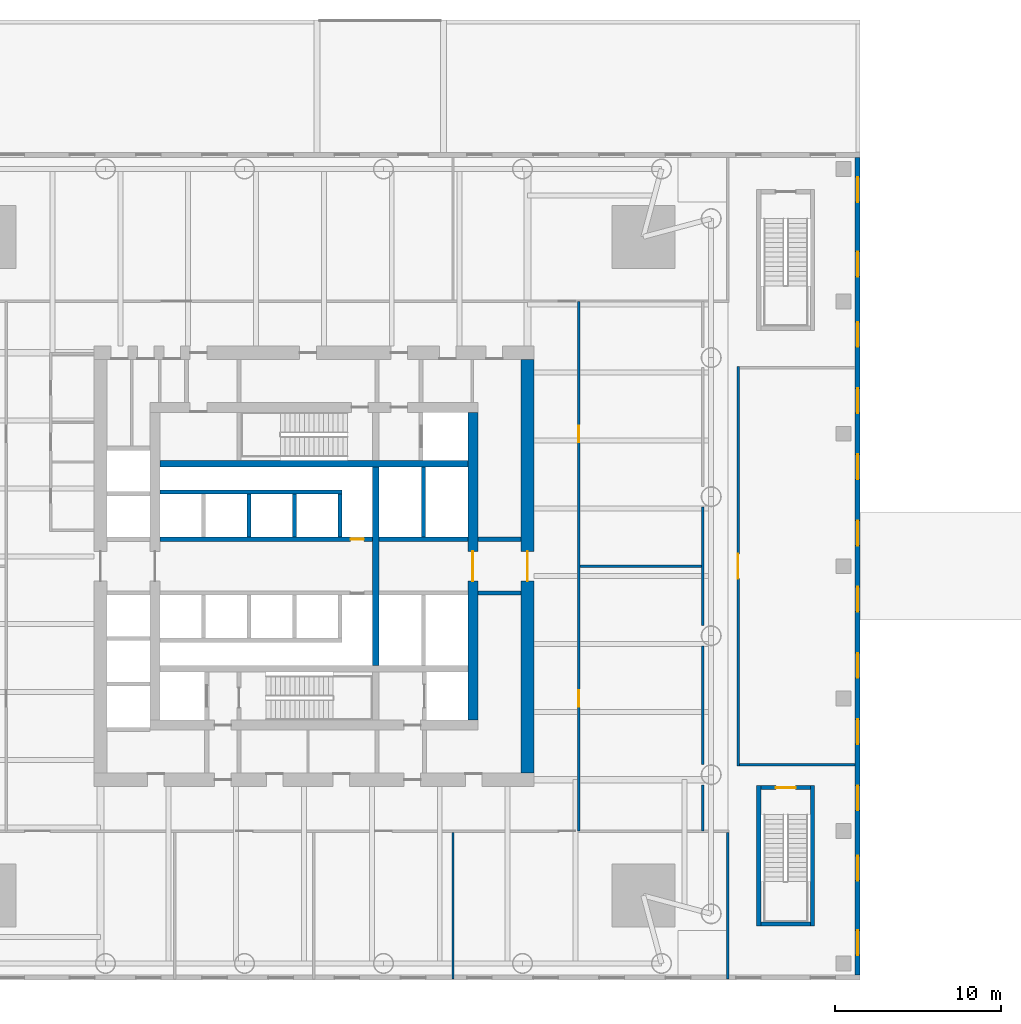
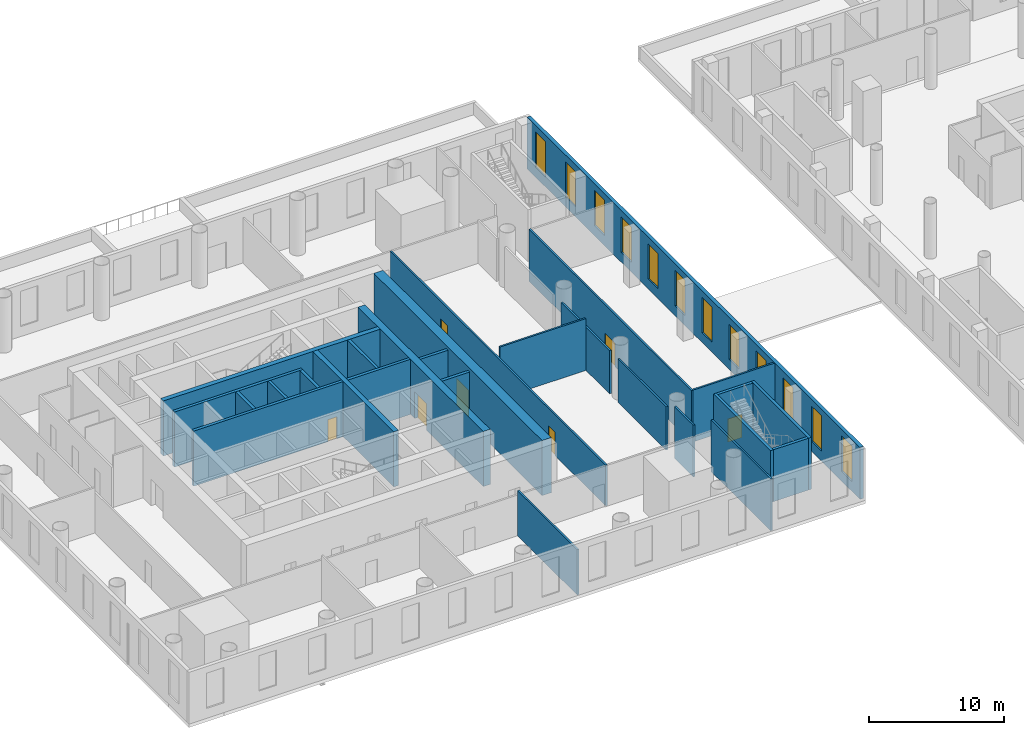
# One storey, part 7 of 16: 27 walls, 12 windows, 7 doors, 19 openings.
"""IFC4 building model written with IfcOpenShell, lengths in metres."""

from ifc_helpers import new_model, si_unit, direction, frame, frame_2d, origin, place, context, subcontext, project, spatial, rectangle, extrude, material, layer, layer_set, type_object, element, fill, save


model = new_model("IFC4")

# Units and contexts
model_context = context("Model", 3, precision=1e-05, world=origin(), true_north=direction((0.0, 1.0)))
body_context = subcontext(model_context, "Body", "Model", "MODEL_VIEW")
ifc_project = project(units=[si_unit("LENGTHUNIT", "METRE"), si_unit("AREAUNIT", "SQUARE_METRE"), si_unit("VOLUMEUNIT", "CUBIC_METRE"), si_unit("PLANEANGLEUNIT", "RADIAN"), si_unit("MASSUNIT", "GRAM", prefix="KILO")], contexts=[model_context])

# Site, building, storey
site_placement = place(None, origin())
site = spatial("IfcSite", under=ifc_project, at=site_placement, CompositionType="ELEMENT")
building_placement = place(site_placement, origin())
building = spatial("IfcBuilding", under=site, at=building_placement, Name="Ostroluk Exchange", CompositionType="ELEMENT")
storey_placement = place(building_placement, frame((0.0, 0.0, 16.0)))
storey = spatial("IfcBuildingStorey", under=building, at=storey_placement, Name="L03", CompositionType="ELEMENT", Elevation=16.0)

# Walls
ifc_material_1 = material(Name="Concrete blockwork", Category="masonry")
ifc_layer_1 = layer(ifc_material_1, 0.25)
ifc_layer_set_1 = layer_set([ifc_layer_1], Name="Blockwork stair enclosure wall 250")
wall_type_1 = type_object("IfcWallType", Name="Blockwork stair enclosure wall 250", PredefinedType="SOLIDWALL", material=ifc_layer_set_1)
for number, where, z_axis, x_axis, name in (
    (1, (54.89990234375, 44.375, 0.0), (0.0, 0.0, 1.0), (1.0, 0.0, 0.0), "Lift lobby enclosure wall"),
    (2, (54.89990234375, 47.625, 0.0), (0.0, 0.0, 1.0), (1.0, 0.0, 0.0), "Lift lobby enclosure wall"),
):
    element("IfcWall", number, at=place(storey_placement, frame(where, z_axis=z_axis, x_axis=x_axis)), inside=storey, type_object=wall_type_1, Name=name, PredefinedType="SOLIDWALL", context=body_context, shape_type="SweptSolid", body=[
        extrude(rectangle(XDim=2.60009765625, YDim=0.25, at=frame_2d((1.300048828125, 0.0))), origin(), (0.0, 0.0, 1.0), 4.699951171875),
    ])
for number, where, z_axis, x_axis, name in (
    (3, (71.875, 24.25, 0.0), (0.0, 0.0, 1.0), (0.0, 1.0, 0.0), "Stair PS3 enclosure wall"),
    (4, (75.125, 24.25, 0.0), (0.0, 0.0, 1.0), (0.0, 1.0, 0.0), "Stair PS3 enclosure wall"),
):
    element("IfcWall", number, at=place(storey_placement, frame(where, z_axis=z_axis, x_axis=x_axis)), inside=storey, type_object=wall_type_1, Name=name, PredefinedType="SOLIDWALL", context=body_context, shape_type="SweptSolid", body=[
        extrude(rectangle(XDim=8.5, YDim=0.25, at=frame_2d((4.25, 0.0))), origin(), (0.0, 0.0, 1.0), 4.699951171875),
    ])
wall_1_placement = place(storey_placement, frame((72.0, 24.375, 0.0), z_axis=(0.0, 0.0, 1.0), x_axis=(1.0, 0.0, 0.0)))
element("IfcWall", 5, at=wall_1_placement, inside=storey, type_object=wall_type_1, Name="Stair PS3 enclosure wall", PredefinedType="SOLIDWALL", context=body_context, shape_type="SweptSolid", body=[
    extrude(rectangle(XDim=3.0, YDim=0.25, at=frame_2d((1.5, 0.0))), origin(), (0.0, 0.0, 1.0), 4.699951171875),
])

# Wall, opening, door
wall_2_placement = place(storey_placement, frame((72.0, 32.625, 0.0), z_axis=(0.0, 0.0, 1.0), x_axis=(1.0, 0.0, 0.0)))
wall_2 = element("IfcWall", 6, at=wall_2_placement, inside=storey, type_object=wall_type_1, Name="Stair PS3 enclosure wall", PredefinedType="SOLIDWALL", context=body_context, shape_type="SweptSolid", body=[
    extrude(rectangle(XDim=3.0, YDim=0.25, at=frame_2d((1.5, 0.0))), origin(), (0.0, 0.0, 1.0), 4.699951171875),
])
opening_1_placement = place(wall_2_placement, frame((0.89990234375, 0.0, 0.0)))
opening_1 = element("IfcOpeningElement", 7, at=opening_1_placement, cuts=wall_2, Name="Opening FD60S", PredefinedType="OPENING", context=body_context, shape_type="SweptSolid", body=[
    extrude(rectangle(XDim=1.199951171875, YDim=2.10009765625, at=frame_2d((0.60009765625, 1.050048828125))), frame((0.0, 0.135009765625, 0.0), z_axis=(0.0, -1.0, 0.0), x_axis=(1.0, 0.0, 0.0)), (0.0, 0.0, 1.0), 0.27001953125),
])
ifc_material_2 = material(Name="Steel", Category="steel")
door_type_1 = type_object("IfcDoorType", Name="Stair door EI 60 1200 x 2100", OperationType="SINGLE_SWING_LEFT", PredefinedType="DOOR", material=ifc_material_2)
door_1_placement = place(opening_1_placement, origin())
door_1 = element("IfcDoor", 8, at=door_1_placement, inside=storey, type_object=door_type_1, Name="Stair PS3 door", OperationType="SINGLE_SWING_LEFT", OverallHeight=2.10009765625, OverallWidth=1.199951171875, PredefinedType="DOOR", context=body_context, shape_type="SweptSolid", body=[
    extrude(rectangle(XDim=1.199951171875, YDim=2.10009765625, at=frame_2d((0.60009765625, 1.050048828125))), frame((0.0, 0.02490234375, 0.0), z_axis=(0.0, -1.0, 0.0), x_axis=(1.0, 0.0, 0.0)), (0.0, 0.0, 1.0), 0.050048828125),
])
fill(opening_1, door_1)

# Walls
ifc_material_3 = material(Name="Concrete C50/60", Category="concrete")
ifc_layer_2 = layer(ifc_material_3, 0.39990234375)
ifc_layer_set_2 = layer_set([ifc_layer_2], Name="Core cross wall 400 C50/60")
wall_type_2 = type_object("IfcWallType", Name="Core cross wall 400 C50/60", PredefinedType="SHEAR", material=ifc_layer_set_2)
wall_3_placement = place(storey_placement, frame((35.699951171875, 52.199951171875, 0.0), z_axis=(0.0, 0.0, 1.0), x_axis=(1.0, 0.0, 0.0)))
element("IfcWall", 9, at=wall_3_placement, inside=storey, type_object=wall_type_2, Name="T1 core wall XN", PredefinedType="SHEAR", context=body_context, shape_type="SweptSolid", body=[
    extrude(rectangle(XDim=18.60009765625, YDim=0.39990234375, at=frame_2d((9.300048828125, 0.0))), origin(), (0.0, 0.0, 1.0), 5.0),
])
wall_4_placement = place(storey_placement, frame((48.72998046875, 40.0, 0.0), z_axis=(0.0, 0.0, 1.0), x_axis=(0.0, 1.0, 0.0)))
element("IfcWall", 10, at=wall_4_placement, inside=storey, type_object=wall_type_2, Name="T1 core wall YE2", PredefinedType="SHEAR", context=body_context, shape_type="SweptSolid", body=[
    extrude(rectangle(XDim=12.0, YDim=0.39990234375, at=frame_2d((6.0, 0.0))), origin(), (0.0, 0.0, 1.0), 5.0),
])
ifc_material_4 = material(Name="Concrete C40/50", Category="concrete")
ifc_layer_3 = layer(ifc_material_4, 0.25)
ifc_layer_set_3 = layer_set([ifc_layer_3], Name="Core shaft wall 250")
wall_type_3 = type_object("IfcWallType", Name="Core shaft wall 250", PredefinedType="SHEAR", material=ifc_layer_set_3)
for number, where, z_axis, x_axis, name in (
    (11, (41.074951171875, 47.75, 0.0), (0.0, 0.0, 1.0), (0.0, 1.0, 0.0), "Lift shaft wall"),
    (12, (43.824951171875, 47.75, 0.0), (0.0, 0.0, 1.0), (0.0, 1.0, 0.0), "Lift shaft wall"),
    (13, (46.574951171875, 47.75, 0.0), (0.0, 0.0, 1.0), (0.0, 1.0, 0.0), "Lift shaft wall"),
):
    element("IfcWall", number, at=place(storey_placement, frame(where, z_axis=z_axis, x_axis=x_axis)), inside=storey, type_object=wall_type_3, Name=name, PredefinedType="SHEAR", context=body_context, shape_type="SweptSolid", body=[
        extrude(rectangle(XDim=2.60009765625, YDim=0.25, at=frame_2d((1.300048828125, 0.0))), origin(), (0.0, 0.0, 1.0), 5.0),
    ])
wall_5_placement = place(storey_placement, frame((35.699951171875, 50.47509765625, 0.0), z_axis=(0.0, 0.0, 1.0), x_axis=(1.0, 0.0, 0.0)))
element("IfcWall", 14, at=wall_5_placement, inside=storey, type_object=wall_type_3, Name="Lift shaft wall", PredefinedType="SHEAR", context=body_context, shape_type="SweptSolid", body=[
    extrude(rectangle(XDim=11.0, YDim=0.25, at=frame_2d((5.5, 0.0))), origin(), (0.0, 0.0, 1.0), 5.0),
])

# Wall, opening, door
wall_6_placement = place(storey_placement, frame((35.699951171875, 47.625, 0.0), z_axis=(0.0, 0.0, 1.0), x_axis=(1.0, 0.0, 0.0)))
wall_6 = element("IfcWall", 15, at=wall_6_placement, inside=storey, type_object=wall_type_3, Name="Lift shaft front wall", PredefinedType="SHEAR", context=body_context, shape_type="SweptSolid", body=[
    extrude(rectangle(XDim=12.830078125, YDim=0.25, at=frame_2d((6.4150390625, 0.0))), origin(), (0.0, 0.0, 1.0), 5.0),
])
opening_2_placement = place(wall_6_placement, frame((11.514892578125, 0.0, 0.0)))
opening_2 = element("IfcOpeningElement", 16, at=opening_2_placement, cuts=wall_6, Name="Opening RD60", PredefinedType="OPENING", context=body_context, shape_type="SweptSolid", body=[
    extrude(rectangle(XDim=0.800048828125, YDim=2.0, at=frame_2d((0.39990234375, 1.0))), frame((0.0, 0.135009765625, 0.0), z_axis=(0.0, -1.0, 0.0), x_axis=(1.0, 0.0, 0.0)), (0.0, 0.0, 1.0), 0.27001953125),
])
ifc_material_5 = material(Name="Steel", Category="steel")
door_type_2 = type_object("IfcDoorType", Name="Riser access door EI 60 800 x 2000", OperationType="SINGLE_SWING_LEFT", PredefinedType="DOOR", material=ifc_material_5)
door_2_placement = place(opening_2_placement, origin())
door_2 = element("IfcDoor", 17, at=door_2_placement, inside=storey, type_object=door_type_2, Name="Riser access door", OperationType="SINGLE_SWING_RIGHT", OverallHeight=2.0, OverallWidth=0.800048828125, PredefinedType="DOOR", context=body_context, shape_type="SweptSolid", body=[
    extrude(rectangle(XDim=0.800048828125, YDim=2.0, at=frame_2d((0.39990234375, 1.0))), frame((0.0, 0.02490234375, 0.0), z_axis=(0.0, -1.0, 0.0), x_axis=(1.0, 0.0, 0.0)), (0.0, 0.0, 1.0), 0.050048828125),
])
fill(opening_2, door_2)

# Walls
wall_7_placement = place(storey_placement, frame((51.614990234375, 47.75, 0.0), z_axis=(0.0, 0.0, 1.0), x_axis=(0.0, 1.0, 0.0)))
element("IfcWall", 18, at=wall_7_placement, inside=storey, type_object=wall_type_3, Name="Lift shaft wall", PredefinedType="SHEAR", context=body_context, shape_type="SweptSolid", body=[
    extrude(rectangle(XDim=4.25, YDim=0.25, at=frame_2d((2.125, 0.0))), origin(), (0.0, 0.0, 1.0), 5.0),
])
wall_8_placement = place(storey_placement, frame((48.929931640625, 47.625, 0.0), z_axis=(0.0, 0.0, 1.0), x_axis=(1.0, 0.0, 0.0)))
element("IfcWall", 19, at=wall_8_placement, inside=storey, type_object=wall_type_3, Name="Lift shaft front wall", PredefinedType="SHEAR", context=body_context, shape_type="SweptSolid", body=[
    extrude(rectangle(XDim=5.3701171875, YDim=0.25, at=frame_2d((2.68505859375, 0.0))), origin(), (0.0, 0.0, 1.0), 5.0),
])

# Wall, opening, door
ifc_material_6 = material(Name="Concrete C50/60", Category="concrete")
ifc_layer_4 = layer(ifc_material_6, 0.60009765625)
ifc_layer_set_4 = layer_set([ifc_layer_4], Name="Core wall 600 C50/60")
wall_type_4 = type_object("IfcWallType", Name="Core wall 600 C50/60", PredefinedType="SHEAR", material=ifc_layer_set_4)
wall_9_placement = place(storey_placement, frame((54.60009765625, 36.699951171875, 0.0), z_axis=(0.0, 0.0, 1.0), x_axis=(0.0, 1.0, 0.0)))
wall_9 = element("IfcWall", 20, at=wall_9_placement, inside=storey, type_object=wall_type_4, Name="T1 core wall E", PredefinedType="SHEAR", context=body_context, shape_type="SweptSolid", body=[
    extrude(rectangle(XDim=18.60009765625, YDim=0.60009765625, at=frame_2d((9.300048828125, 0.0))), origin(), (0.0, 0.0, 1.0), 5.0),
])
opening_3_placement = place(wall_9_placement, frame((8.39990234375, 0.0, 0.0)))
opening_3 = element("IfcOpeningElement", 21, at=opening_3_placement, cuts=wall_9, Name="Opening FD30D", PredefinedType="OPENING", context=body_context, shape_type="SweptSolid", body=[
    extrude(rectangle(XDim=1.800048828125, YDim=2.39990234375, at=frame_2d((0.89990234375, 1.199951171875))), frame((0.0, 0.31005859375, 0.0), z_axis=(0.0, -1.0, 0.0), x_axis=(1.0, 0.0, 0.0)), (0.0, 0.0, 1.0), 0.6201171875),
])
ifc_material_7 = material(Name="Timber", Category="wood")
door_type_3 = type_object("IfcDoorType", Name="Lobby double door EI 30 1800 x 2400", OperationType="DOUBLE_DOOR_SINGLE_SWING", PredefinedType="DOOR", material=ifc_material_7)
door_3_placement = place(opening_3_placement, origin())
door_3 = element("IfcDoor", 22, at=door_3_placement, inside=storey, type_object=door_type_3, Name="Lift lobby doors", OperationType="DOUBLE_DOOR_SINGLE_SWING", OverallHeight=2.39990234375, OverallWidth=1.800048828125, PredefinedType="DOOR", context=body_context, shape_type="SweptSolid", body=[
    extrude(rectangle(XDim=1.800048828125, YDim=2.39990234375, at=frame_2d((0.89990234375, 1.199951171875))), frame((0.0, 0.02490234375, 0.0), z_axis=(0.0, -1.0, 0.0), x_axis=(1.0, 0.0, 0.0)), (0.0, 0.0, 1.0), 0.050048828125),
])
fill(opening_3, door_3)

ifc_material_8 = material(Name="Concrete C50/60", Category="concrete")
ifc_layer_5 = layer(ifc_material_8, 0.800048828125)
ifc_layer_set_5 = layer_set([ifc_layer_5], Name="Core wall 800 C50/60")
wall_type_5 = type_object("IfcWallType", Name="Core wall 800 C50/60", PredefinedType="SHEAR", material=ifc_layer_set_5)
wall_10_placement = place(storey_placement, frame((57.89990234375, 33.5, 0.0), z_axis=(0.0, 0.0, 1.0), x_axis=(0.0, 1.0, 0.0)))
wall_10 = element("IfcWall", 23, at=wall_10_placement, inside=storey, type_object=wall_type_5, Name="T1 core wall RE", PredefinedType="SHEAR", context=body_context, shape_type="SweptSolid", body=[
    extrude(rectangle(XDim=25.0, YDim=0.800048828125, at=frame_2d((12.5, 0.0))), origin(), (0.0, 0.0, 1.0), 5.0),
])
opening_4_placement = place(wall_10_placement, frame((11.60009765625, 0.0, 0.0)))
opening_4 = element("IfcOpeningElement", 24, at=opening_4_placement, cuts=wall_10, Name="Opening FD30D", PredefinedType="OPENING", context=body_context, shape_type="SweptSolid", body=[
    extrude(rectangle(XDim=1.800048828125, YDim=2.39990234375, at=frame_2d((0.89990234375, 1.199951171875))), frame((0.0, 0.409912109375, 0.0), z_axis=(0.0, -1.0, 0.0), x_axis=(1.0, 0.0, 0.0)), (0.0, 0.0, 1.0), 0.820068359375),
])
door_4_placement = place(opening_4_placement, origin())
door_4 = element("IfcDoor", 25, at=door_4_placement, inside=storey, type_object=door_type_3, Name="Lift lobby doors", OperationType="DOUBLE_DOOR_SINGLE_SWING", OverallHeight=2.39990234375, OverallWidth=1.800048828125, PredefinedType="DOOR", context=body_context, shape_type="SweptSolid", body=[
    extrude(rectangle(XDim=1.800048828125, YDim=2.39990234375, at=frame_2d((0.89990234375, 1.199951171875))), frame((0.0, 0.02490234375, 0.0), z_axis=(0.0, -1.0, 0.0), x_axis=(1.0, 0.0, 0.0)), (0.0, 0.0, 1.0), 0.050048828125),
])
fill(opening_4, door_4)

# Wall, openings, windows
ifc_material_9 = material(Name="Limestone", Category="masonry")
ifc_layer_6 = layer(ifc_material_9, 0.300048828125)
ifc_layer_set_6 = layer_set([ifc_layer_6], Name="Limestone facade wall 300")
wall_type_6 = type_object("IfcWallType", Name="Limestone facade wall 300", PredefinedType="SOLIDWALL", material=ifc_layer_set_6)
wall_11_placement = place(storey_placement, frame((77.85009765625, 21.300048828125, 0.0), z_axis=(0.0, 0.0, 1.0), x_axis=(0.0, 1.0, 0.0)))
wall_11 = element("IfcWall", 26, at=wall_11_placement, inside=storey, type_object=wall_type_6, Name="Podium west E wall L03 1a", PredefinedType="SOLIDWALL", context=body_context, shape_type="SweptSolid", body=[
    extrude(rectangle(XDim=49.39990234375, YDim=0.300048828125, at=frame_2d((24.699951171875, 0.0))), origin(), (0.0, 0.0, 1.0), 4.699951171875),
])
opening_5_placement = place(wall_11_placement, frame((1.199951171875, 0.0, 0.89990234375)))
opening_5 = element("IfcOpeningElement", 27, at=opening_5_placement, cuts=wall_11, Name="Opening WN-L2", PredefinedType="OPENING", context=body_context, shape_type="SweptSolid", body=[
    extrude(rectangle(XDim=1.5, YDim=3.199951171875, at=frame_2d((0.75, 1.60009765625))), frame((0.0, 0.159912109375, 0.0), z_axis=(0.0, -1.0, 0.0), x_axis=(1.0, 0.0, 0.0)), (0.0, 0.0, 1.0), 0.320068359375),
])
opening_6_placement = place(wall_11_placement, frame((5.699951171875, 0.0, 0.89990234375)))
opening_6 = element("IfcOpeningElement", 28, at=opening_6_placement, cuts=wall_11, Name="Opening WN-L2", PredefinedType="OPENING", context=body_context, shape_type="SweptSolid", body=[
    extrude(rectangle(XDim=1.5, YDim=3.199951171875, at=frame_2d((0.75, 1.60009765625))), frame((0.0, 0.159912109375, 0.0), z_axis=(0.0, -1.0, 0.0), x_axis=(1.0, 0.0, 0.0)), (0.0, 0.0, 1.0), 0.320068359375),
])
opening_7_placement = place(wall_11_placement, frame((9.949951171875, 0.0, 0.89990234375)))
opening_7 = element("IfcOpeningElement", 29, at=opening_7_placement, cuts=wall_11, Name="Opening WN-L2", PredefinedType="OPENING", context=body_context, shape_type="SweptSolid", body=[
    extrude(rectangle(XDim=1.5, YDim=3.199951171875, at=frame_2d((0.75, 1.60009765625))), frame((0.0, 0.159912109375, 0.0), z_axis=(0.0, -1.0, 0.0), x_axis=(1.0, 0.0, 0.0)), (0.0, 0.0, 1.0), 0.320068359375),
])
opening_8_placement = place(wall_11_placement, frame((13.949951171875, 0.0, 0.89990234375)))
opening_8 = element("IfcOpeningElement", 30, at=opening_8_placement, cuts=wall_11, Name="Opening WN-L2", PredefinedType="OPENING", context=body_context, shape_type="SweptSolid", body=[
    extrude(rectangle(XDim=1.5, YDim=3.199951171875, at=frame_2d((0.75, 1.60009765625))), frame((0.0, 0.159912109375, 0.0), z_axis=(0.0, -1.0, 0.0), x_axis=(1.0, 0.0, 0.0)), (0.0, 0.0, 1.0), 0.320068359375),
])
opening_9_placement = place(wall_11_placement, frame((17.949951171875, 0.0, 0.89990234375)))
opening_9 = element("IfcOpeningElement", 31, at=opening_9_placement, cuts=wall_11, Name="Opening WN-L2", PredefinedType="OPENING", context=body_context, shape_type="SweptSolid", body=[
    extrude(rectangle(XDim=1.5, YDim=3.199951171875, at=frame_2d((0.75, 1.60009765625))), frame((0.0, 0.159912109375, 0.0), z_axis=(0.0, -1.0, 0.0), x_axis=(1.0, 0.0, 0.0)), (0.0, 0.0, 1.0), 0.320068359375),
])
opening_10_placement = place(wall_11_placement, frame((21.949951171875, 0.0, 0.89990234375)))
opening_10 = element("IfcOpeningElement", 32, at=opening_10_placement, cuts=wall_11, Name="Opening WN-L2", PredefinedType="OPENING", context=body_context, shape_type="SweptSolid", body=[
    extrude(rectangle(XDim=1.5, YDim=3.199951171875, at=frame_2d((0.75, 1.60009765625))), frame((0.0, 0.159912109375, 0.0), z_axis=(0.0, -1.0, 0.0), x_axis=(1.0, 0.0, 0.0)), (0.0, 0.0, 1.0), 0.320068359375),
])
opening_11_placement = place(wall_11_placement, frame((25.949951171875, 0.0, 0.89990234375)))
opening_11 = element("IfcOpeningElement", 33, at=opening_11_placement, cuts=wall_11, Name="Opening WN-L2", PredefinedType="OPENING", context=body_context, shape_type="SweptSolid", body=[
    extrude(rectangle(XDim=1.5, YDim=3.199951171875, at=frame_2d((0.75, 1.60009765625))), frame((0.0, 0.159912109375, 0.0), z_axis=(0.0, -1.0, 0.0), x_axis=(1.0, 0.0, 0.0)), (0.0, 0.0, 1.0), 0.320068359375),
])
opening_12_placement = place(wall_11_placement, frame((29.949951171875, 0.0, 0.89990234375)))
opening_12 = element("IfcOpeningElement", 34, at=opening_12_placement, cuts=wall_11, Name="Opening WN-L2", PredefinedType="OPENING", context=body_context, shape_type="SweptSolid", body=[
    extrude(rectangle(XDim=1.5, YDim=3.199951171875, at=frame_2d((0.75, 1.60009765625))), frame((0.0, 0.159912109375, 0.0), z_axis=(0.0, -1.0, 0.0), x_axis=(1.0, 0.0, 0.0)), (0.0, 0.0, 1.0), 0.320068359375),
])
opening_13_placement = place(wall_11_placement, frame((33.949951171875, 0.0, 0.89990234375)))
opening_13 = element("IfcOpeningElement", 35, at=opening_13_placement, cuts=wall_11, Name="Opening WN-L2", PredefinedType="OPENING", context=body_context, shape_type="SweptSolid", body=[
    extrude(rectangle(XDim=1.5, YDim=3.199951171875, at=frame_2d((0.75, 1.60009765625))), frame((0.0, 0.159912109375, 0.0), z_axis=(0.0, -1.0, 0.0), x_axis=(1.0, 0.0, 0.0)), (0.0, 0.0, 1.0), 0.320068359375),
])
opening_14_placement = place(wall_11_placement, frame((37.949951171875, 0.0, 0.89990234375)))
opening_14 = element("IfcOpeningElement", 36, at=opening_14_placement, cuts=wall_11, Name="Opening WN-L2", PredefinedType="OPENING", context=body_context, shape_type="SweptSolid", body=[
    extrude(rectangle(XDim=1.5, YDim=3.199951171875, at=frame_2d((0.75, 1.60009765625))), frame((0.0, 0.159912109375, 0.0), z_axis=(0.0, -1.0, 0.0), x_axis=(1.0, 0.0, 0.0)), (0.0, 0.0, 1.0), 0.320068359375),
])
opening_15_placement = place(wall_11_placement, frame((42.199951171875, 0.0, 0.89990234375)))
opening_15 = element("IfcOpeningElement", 37, at=opening_15_placement, cuts=wall_11, Name="Opening WN-L2", PredefinedType="OPENING", context=body_context, shape_type="SweptSolid", body=[
    extrude(rectangle(XDim=1.5, YDim=3.199951171875, at=frame_2d((0.75, 1.60009765625))), frame((0.0, 0.159912109375, 0.0), z_axis=(0.0, -1.0, 0.0), x_axis=(1.0, 0.0, 0.0)), (0.0, 0.0, 1.0), 0.320068359375),
])
opening_16_placement = place(wall_11_placement, frame((46.699951171875, 0.0, 0.89990234375)))
opening_16 = element("IfcOpeningElement", 38, at=opening_16_placement, cuts=wall_11, Name="Opening WN-L2", PredefinedType="OPENING", context=body_context, shape_type="SweptSolid", body=[
    extrude(rectangle(XDim=1.5, YDim=3.199951171875, at=frame_2d((0.75, 1.60009765625))), frame((0.0, 0.159912109375, 0.0), z_axis=(0.0, -1.0, 0.0), x_axis=(1.0, 0.0, 0.0)), (0.0, 0.0, 1.0), 0.320068359375),
])
ifc_material_10 = material(Name="Laminated clear glass", Category="glass")
window_type = type_object("IfcWindowType", Name="Podium lancet window 1500 x 3200", PartitioningType="DOUBLE_PANEL_VERTICAL", PredefinedType="WINDOW", material=ifc_material_10)
window_1_placement = place(opening_5_placement, origin())
window_1 = element("IfcWindow", 39, at=window_1_placement, inside=storey, type_object=window_type, Name="Podium west lancet window E L03 1.1", OverallHeight=3.199951171875, OverallWidth=1.5, PartitioningType="SINGLE_PANEL", PredefinedType="WINDOW", context=body_context, shape_type="SweptSolid", body=[
    extrude(rectangle(XDim=1.5, YDim=3.199951171875, at=frame_2d((0.75, 1.60009765625))), frame((0.0, 0.030029296875, 0.0), z_axis=(0.0, -1.0, 0.0), x_axis=(1.0, 0.0, 0.0)), (0.0, 0.0, 1.0), 0.06005859375),
])
fill(opening_5, window_1)
window_2_placement = place(opening_6_placement, origin())
window_2 = element("IfcWindow", 40, at=window_2_placement, inside=storey, type_object=window_type, Name="Podium west lancet window E L03 1.2", OverallHeight=3.199951171875, OverallWidth=1.5, PartitioningType="SINGLE_PANEL", PredefinedType="WINDOW", context=body_context, shape_type="SweptSolid", body=[
    extrude(rectangle(XDim=1.5, YDim=3.199951171875, at=frame_2d((0.75, 1.60009765625))), frame((0.0, 0.030029296875, 0.0), z_axis=(0.0, -1.0, 0.0), x_axis=(1.0, 0.0, 0.0)), (0.0, 0.0, 1.0), 0.06005859375),
])
fill(opening_6, window_2)
window_3_placement = place(opening_7_placement, origin())
window_3 = element("IfcWindow", 41, at=window_3_placement, inside=storey, type_object=window_type, Name="Podium west lancet window E L03 2.1", OverallHeight=3.199951171875, OverallWidth=1.5, PartitioningType="SINGLE_PANEL", PredefinedType="WINDOW", context=body_context, shape_type="SweptSolid", body=[
    extrude(rectangle(XDim=1.5, YDim=3.199951171875, at=frame_2d((0.75, 1.60009765625))), frame((0.0, 0.030029296875, 0.0), z_axis=(0.0, -1.0, 0.0), x_axis=(1.0, 0.0, 0.0)), (0.0, 0.0, 1.0), 0.06005859375),
])
fill(opening_7, window_3)
window_4_placement = place(opening_8_placement, origin())
window_4 = element("IfcWindow", 42, at=window_4_placement, inside=storey, type_object=window_type, Name="Podium west lancet window E L03 2.2", OverallHeight=3.199951171875, OverallWidth=1.5, PartitioningType="SINGLE_PANEL", PredefinedType="WINDOW", context=body_context, shape_type="SweptSolid", body=[
    extrude(rectangle(XDim=1.5, YDim=3.199951171875, at=frame_2d((0.75, 1.60009765625))), frame((0.0, 0.030029296875, 0.0), z_axis=(0.0, -1.0, 0.0), x_axis=(1.0, 0.0, 0.0)), (0.0, 0.0, 1.0), 0.06005859375),
])
fill(opening_8, window_4)
window_5_placement = place(opening_9_placement, origin())
window_5 = element("IfcWindow", 43, at=window_5_placement, inside=storey, type_object=window_type, Name="Podium west lancet window E L03 3.1", OverallHeight=3.199951171875, OverallWidth=1.5, PartitioningType="SINGLE_PANEL", PredefinedType="WINDOW", context=body_context, shape_type="SweptSolid", body=[
    extrude(rectangle(XDim=1.5, YDim=3.199951171875, at=frame_2d((0.75, 1.60009765625))), frame((0.0, 0.030029296875, 0.0), z_axis=(0.0, -1.0, 0.0), x_axis=(1.0, 0.0, 0.0)), (0.0, 0.0, 1.0), 0.06005859375),
])
fill(opening_9, window_5)
window_6_placement = place(opening_10_placement, origin())
window_6 = element("IfcWindow", 44, at=window_6_placement, inside=storey, type_object=window_type, Name="Podium west lancet window E L03 3.2", OverallHeight=3.199951171875, OverallWidth=1.5, PartitioningType="SINGLE_PANEL", PredefinedType="WINDOW", context=body_context, shape_type="SweptSolid", body=[
    extrude(rectangle(XDim=1.5, YDim=3.199951171875, at=frame_2d((0.75, 1.60009765625))), frame((0.0, 0.030029296875, 0.0), z_axis=(0.0, -1.0, 0.0), x_axis=(1.0, 0.0, 0.0)), (0.0, 0.0, 1.0), 0.06005859375),
])
fill(opening_10, window_6)
window_7_placement = place(opening_11_placement, origin())
window_7 = element("IfcWindow", 45, at=window_7_placement, inside=storey, type_object=window_type, Name="Podium west lancet window E L03 4.1", OverallHeight=3.199951171875, OverallWidth=1.5, PartitioningType="SINGLE_PANEL", PredefinedType="WINDOW", context=body_context, shape_type="SweptSolid", body=[
    extrude(rectangle(XDim=1.5, YDim=3.199951171875, at=frame_2d((0.75, 1.60009765625))), frame((0.0, 0.030029296875, 0.0), z_axis=(0.0, -1.0, 0.0), x_axis=(1.0, 0.0, 0.0)), (0.0, 0.0, 1.0), 0.06005859375),
])
fill(opening_11, window_7)
window_8_placement = place(opening_12_placement, origin())
window_8 = element("IfcWindow", 46, at=window_8_placement, inside=storey, type_object=window_type, Name="Podium west lancet window E L03 4.2", OverallHeight=3.199951171875, OverallWidth=1.5, PartitioningType="SINGLE_PANEL", PredefinedType="WINDOW", context=body_context, shape_type="SweptSolid", body=[
    extrude(rectangle(XDim=1.5, YDim=3.199951171875, at=frame_2d((0.75, 1.60009765625))), frame((0.0, 0.030029296875, 0.0), z_axis=(0.0, -1.0, 0.0), x_axis=(1.0, 0.0, 0.0)), (0.0, 0.0, 1.0), 0.06005859375),
])
fill(opening_12, window_8)
window_9_placement = place(opening_13_placement, origin())
window_9 = element("IfcWindow", 47, at=window_9_placement, inside=storey, type_object=window_type, Name="Podium west lancet window E L03 5.1", OverallHeight=3.199951171875, OverallWidth=1.5, PartitioningType="SINGLE_PANEL", PredefinedType="WINDOW", context=body_context, shape_type="SweptSolid", body=[
    extrude(rectangle(XDim=1.5, YDim=3.199951171875, at=frame_2d((0.75, 1.60009765625))), frame((0.0, 0.030029296875, 0.0), z_axis=(0.0, -1.0, 0.0), x_axis=(1.0, 0.0, 0.0)), (0.0, 0.0, 1.0), 0.06005859375),
])
fill(opening_13, window_9)
window_10_placement = place(opening_14_placement, origin())
window_10 = element("IfcWindow", 48, at=window_10_placement, inside=storey, type_object=window_type, Name="Podium west lancet window E L03 5.2", OverallHeight=3.199951171875, OverallWidth=1.5, PartitioningType="SINGLE_PANEL", PredefinedType="WINDOW", context=body_context, shape_type="SweptSolid", body=[
    extrude(rectangle(XDim=1.5, YDim=3.199951171875, at=frame_2d((0.75, 1.60009765625))), frame((0.0, 0.030029296875, 0.0), z_axis=(0.0, -1.0, 0.0), x_axis=(1.0, 0.0, 0.0)), (0.0, 0.0, 1.0), 0.06005859375),
])
fill(opening_14, window_10)
window_11_placement = place(opening_15_placement, origin())
window_11 = element("IfcWindow", 49, at=window_11_placement, inside=storey, type_object=window_type, Name="Podium west lancet window E L03 6.1", OverallHeight=3.199951171875, OverallWidth=1.5, PartitioningType="SINGLE_PANEL", PredefinedType="WINDOW", context=body_context, shape_type="SweptSolid", body=[
    extrude(rectangle(XDim=1.5, YDim=3.199951171875, at=frame_2d((0.75, 1.60009765625))), frame((0.0, 0.030029296875, 0.0), z_axis=(0.0, -1.0, 0.0), x_axis=(1.0, 0.0, 0.0)), (0.0, 0.0, 1.0), 0.06005859375),
])
fill(opening_15, window_11)
window_12_placement = place(opening_16_placement, origin())
window_12 = element("IfcWindow", 50, at=window_12_placement, inside=storey, type_object=window_type, Name="Podium west lancet window E L03 6.2", OverallHeight=3.199951171875, OverallWidth=1.5, PartitioningType="SINGLE_PANEL", PredefinedType="WINDOW", context=body_context, shape_type="SweptSolid", body=[
    extrude(rectangle(XDim=1.5, YDim=3.199951171875, at=frame_2d((0.75, 1.60009765625))), frame((0.0, 0.030029296875, 0.0), z_axis=(0.0, -1.0, 0.0), x_axis=(1.0, 0.0, 0.0)), (0.0, 0.0, 1.0), 0.06005859375),
])
fill(opening_16, window_12)

# Wall, opening, door
ifc_material_11 = material(Name="Gypsum plasterboard partition", Category="gypsum")
ifc_layer_7 = layer(ifc_material_11, 0.14990234375)
ifc_layer_set_7 = layer_set([ifc_layer_7], Name="Plasterboard partition 150")
wall_type_7 = type_object("IfcWallType", Name="Plasterboard partition 150", PredefinedType="PARTITIONING", material=ifc_layer_set_7)
wall_12_placement = place(storey_placement, frame((70.6201171875, 33.925048828125, 0.0), z_axis=(0.0, 0.0, 1.0), x_axis=(0.0, 1.0, 0.0)))
wall_12 = element("IfcWall", 51, at=wall_12_placement, inside=storey, type_object=wall_type_7, Name="Partition", PredefinedType="PARTITIONING", context=body_context, shape_type="SweptSolid", body=[
    extrude(rectangle(XDim=24.14990234375, YDim=0.14990234375, at=frame_2d((12.074951171875, 0.0))), origin(), (0.0, 0.0, 1.0), 4.699951171875),
])
opening_17_placement = place(wall_12_placement, frame((11.324951171875, 0.0, 0.0)))
opening_17 = element("IfcOpeningElement", 52, at=opening_17_placement, cuts=wall_12, Name="Opening D-07", PredefinedType="OPENING", context=body_context, shape_type="SweptSolid", body=[
    extrude(rectangle(XDim=1.5, YDim=2.10009765625, at=frame_2d((0.75, 1.050048828125))), frame((0.0, 0.0849609375, 0.0), z_axis=(0.0, -1.0, 0.0), x_axis=(1.0, 0.0, 0.0)), (0.0, 0.0, 1.0), 0.169921875),
])
ifc_material_12 = material(Name="Steel", Category="steel")
door_type_4 = type_object("IfcDoorType", Name="Kitchen double door 1500 x 2100", OperationType="DOUBLE_DOOR_DOUBLE_SWING", PredefinedType="DOOR", material=ifc_material_12)
door_5_placement = place(opening_17_placement, origin())
door_5 = element("IfcDoor", 53, at=door_5_placement, inside=storey, type_object=door_type_4, Name="Main kitchen door", OperationType="DOUBLE_DOOR_DOUBLE_SWING", OverallHeight=2.10009765625, OverallWidth=1.5, PredefinedType="DOOR", context=body_context, shape_type="SweptSolid", body=[
    extrude(rectangle(XDim=1.5, YDim=2.10009765625, at=frame_2d((0.75, 1.050048828125))), frame((0.0, 0.02490234375, 0.0), z_axis=(0.0, -1.0, 0.0), x_axis=(1.0, 0.0, 0.0)), (0.0, 0.0, 1.0), 0.050048828125),
])
fill(opening_17, door_5)

# Walls
wall_13_placement = place(storey_placement, frame((70.695068359375, 34.0, 0.0), z_axis=(0.0, 0.0, 1.0), x_axis=(1.0, 0.0, 0.0)))
element("IfcWall", 54, at=wall_13_placement, inside=storey, type_object=wall_type_7, Name="Partition", PredefinedType="PARTITIONING", context=body_context, shape_type="SweptSolid", body=[
    extrude(rectangle(XDim=7.0048828125, YDim=0.14990234375, at=frame_2d((3.50244140625, 0.0))), origin(), (0.0, 0.0, 1.0), 4.699951171875),
])
wall_14_placement = place(storey_placement, frame((70.0, 21.074951171875, 0.0), z_axis=(0.0, 0.0, 1.0), x_axis=(0.0, 1.0, 0.0)))
element("IfcWall", 55, at=wall_14_placement, inside=storey, type_object=wall_type_7, Name="Partition", PredefinedType="PARTITIONING", context=body_context, shape_type="SweptSolid", body=[
    extrude(rectangle(XDim=8.85009765625, YDim=0.14990234375, at=frame_2d((4.425048828125, 0.0))), origin(), (0.0, 0.0, 1.0), 4.699951171875),
])
wall_15_placement = place(storey_placement, frame((53.39990234375, 21.074951171875, 0.0), z_axis=(0.0, 0.0, 1.0), x_axis=(0.0, 1.0, 0.0)))
element("IfcWall", 56, at=wall_15_placement, inside=storey, type_object=wall_type_7, Name="Partition", PredefinedType="PARTITIONING", context=body_context, shape_type="SweptSolid", body=[
    extrude(rectangle(XDim=8.85009765625, YDim=0.14990234375, at=frame_2d((4.425048828125, 0.0))), origin(), (0.0, 0.0, 1.0), 4.10009765625),
])

# Wall, openings, doors
wall_16_placement = place(storey_placement, frame((61.0, 30.0, 0.0), z_axis=(0.0, 0.0, 1.0), x_axis=(0.0, 1.0, 0.0)))
wall_16 = element("IfcWall", 57, at=wall_16_placement, inside=storey, type_object=wall_type_7, Name="Partition", PredefinedType="PARTITIONING", context=body_context, shape_type="SweptSolid", body=[
    extrude(rectangle(XDim=32.0, YDim=0.14990234375, at=frame_2d((16.0, 0.0))), origin(), (0.0, 0.0, 1.0), 3.68798828125),
])
opening_18_placement = place(wall_16_placement, frame((7.5, 0.0, 0.0)))
opening_18 = element("IfcOpeningElement", 58, at=opening_18_placement, cuts=wall_16, Name="Opening D-03", PredefinedType="OPENING", context=body_context, shape_type="SweptSolid", body=[
    extrude(rectangle(XDim=1.0, YDim=2.10009765625, at=frame_2d((0.5, 1.050048828125))), frame((0.0, 0.0849609375, 0.0), z_axis=(0.0, -1.0, 0.0), x_axis=(1.0, 0.0, 0.0)), (0.0, 0.0, 1.0), 0.169921875),
])
opening_19_placement = place(wall_16_placement, frame((23.5, 0.0, 0.0)))
opening_19 = element("IfcOpeningElement", 59, at=opening_19_placement, cuts=wall_16, Name="Opening D-03", PredefinedType="OPENING", context=body_context, shape_type="SweptSolid", body=[
    extrude(rectangle(XDim=1.0, YDim=2.10009765625, at=frame_2d((0.5, 1.050048828125))), frame((0.0, 0.0849609375, 0.0), z_axis=(0.0, -1.0, 0.0), x_axis=(1.0, 0.0, 0.0)), (0.0, 0.0, 1.0), 0.169921875),
])
ifc_material_13 = material(Name="Timber", Category="wood")
door_type_5 = type_object("IfcDoorType", Name="Internal door 1000 x 2100", OperationType="SINGLE_SWING_LEFT", PredefinedType="DOOR", material=ifc_material_13)
door_6_placement = place(opening_18_placement, origin())
door_6 = element("IfcDoor", 60, at=door_6_placement, inside=storey, type_object=door_type_5, Name="Office door", OperationType="SINGLE_SWING_LEFT", OverallHeight=2.10009765625, OverallWidth=1.0, PredefinedType="DOOR", context=body_context, shape_type="SweptSolid", body=[
    extrude(rectangle(XDim=1.0, YDim=2.10009765625, at=frame_2d((0.5, 1.050048828125))), frame((0.0, 0.02490234375, 0.0), z_axis=(0.0, -1.0, 0.0), x_axis=(1.0, 0.0, 0.0)), (0.0, 0.0, 1.0), 0.050048828125),
])
fill(opening_18, door_6)
door_7_placement = place(opening_19_placement, origin())
door_7 = element("IfcDoor", 61, at=door_7_placement, inside=storey, type_object=door_type_5, Name="Office door", OperationType="SINGLE_SWING_RIGHT", OverallHeight=2.10009765625, OverallWidth=1.0, PredefinedType="DOOR", context=body_context, shape_type="SweptSolid", body=[
    extrude(rectangle(XDim=1.0, YDim=2.10009765625, at=frame_2d((0.5, 1.050048828125))), frame((0.0, 0.02490234375, 0.0), z_axis=(0.0, -1.0, 0.0), x_axis=(1.0, 0.0, 0.0)), (0.0, 0.0, 1.0), 0.050048828125),
])
fill(opening_19, door_7)

# Walls
wall_17_placement = place(storey_placement, frame((68.5, 30.0, 0.0), z_axis=(0.0, 0.0, 1.0), x_axis=(0.0, 1.0, 0.0)))
element("IfcWall", 62, at=wall_17_placement, inside=storey, type_object=wall_type_7, Name="Partition", PredefinedType="PARTITIONING", context=body_context, shape_type="SweptSolid", body=[
    extrude(rectangle(XDim=2.79052734375, YDim=0.14990234375, at=frame_2d((1.395263671875, 0.0))), origin(), (0.0, 0.0, 1.0), 4.699951171875),
])
wall_18_placement = place(storey_placement, frame((68.5, 34.009521484375, 0.0), z_axis=(0.0, 0.0, 1.0), x_axis=(0.0, 1.0, 0.0)))
element("IfcWall", 63, at=wall_18_placement, inside=storey, type_object=wall_type_7, Name="Partition", PredefinedType="PARTITIONING", context=body_context, shape_type="SweptSolid", body=[
    extrude(rectangle(XDim=7.180908203125, YDim=0.14990234375, at=frame_2d((3.59033203125, 0.0))), origin(), (0.0, 0.0, 1.0), 3.929931640625),
])
wall_19_placement = place(storey_placement, frame((68.5, 42.409423828125, 0.0), z_axis=(0.0, 0.0, 1.0), x_axis=(0.0, 1.0, 0.0)))
element("IfcWall", 64, at=wall_19_placement, inside=storey, type_object=wall_type_7, Name="Partition", PredefinedType="PARTITIONING", context=body_context, shape_type="SweptSolid", body=[
    extrude(rectangle(XDim=7.18115234375, YDim=0.14990234375, at=frame_2d((3.590576171875, 0.0))), origin(), (0.0, 0.0, 1.0), 3.929931640625),
])
wall_20_placement = place(storey_placement, frame((61.074951171875, 46.0, 0.0), z_axis=(0.0, 0.0, 1.0), x_axis=(1.0, 0.0, 0.0)))
element("IfcWall", 65, at=wall_20_placement, inside=storey, type_object=wall_type_7, Name="Partition", PredefinedType="PARTITIONING", context=body_context, shape_type="SweptSolid", body=[
    extrude(rectangle(XDim=7.35009765625, YDim=0.14990234375, at=frame_2d((3.675048828125, 0.0))), origin(), (0.0, 0.0, 1.0), 4.699951171875),
])

save(model, "model.ifc")
